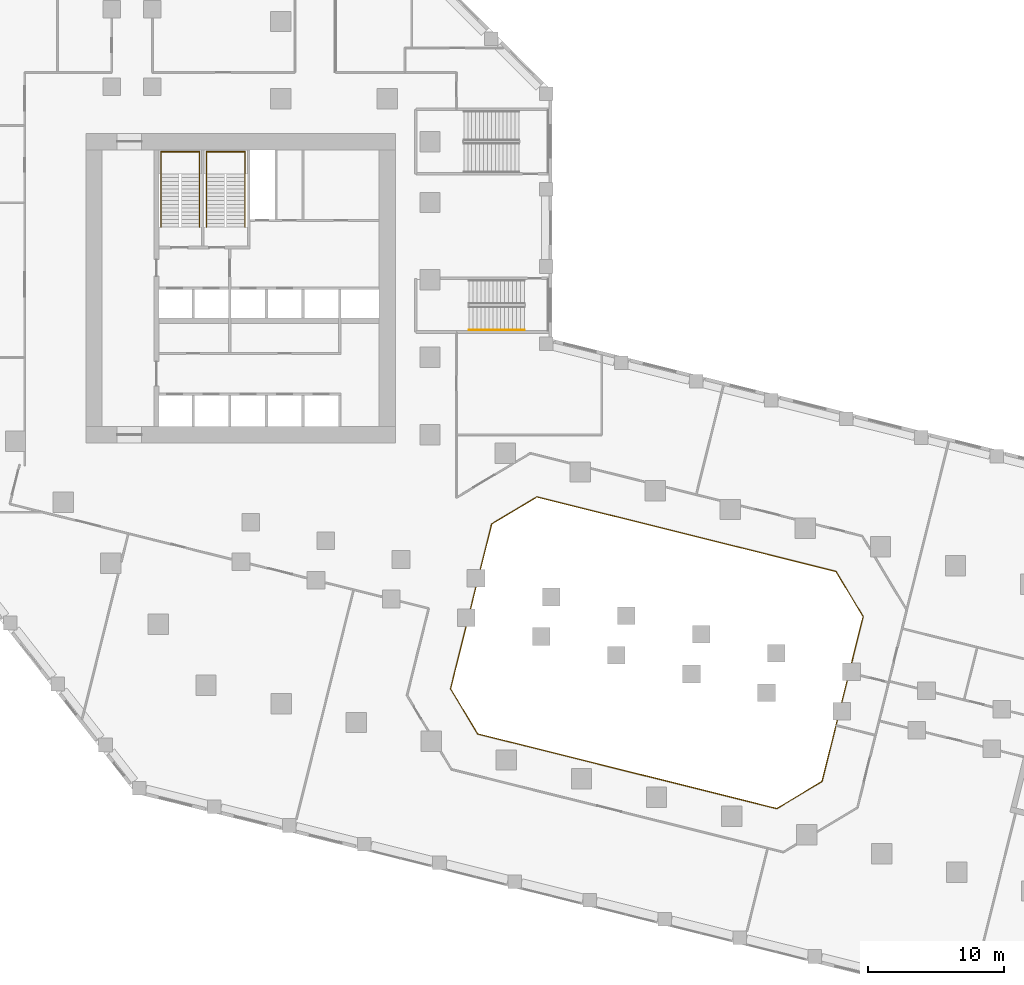
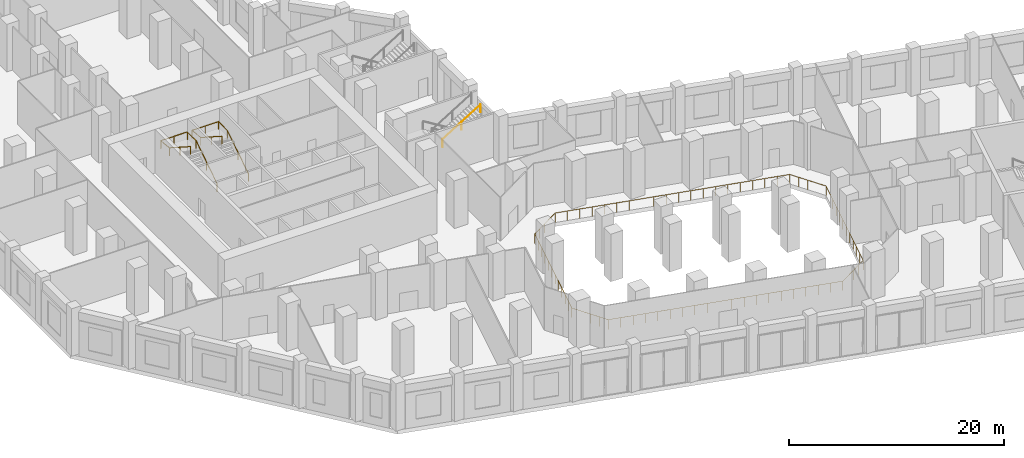
# One storey, part 19 of 23: 4 railings.
"""IFC4 building model written with IfcOpenShell, lengths in metres."""

from ifc_helpers import new_model, si_unit, direction, frame, origin, origin_2d, place, context, subcontext, project, spatial, circle, extrude, material, type_object, element, save


model = new_model("IFC4")

# Units and contexts
model_context = context("Model", 3, precision=1e-05, world=origin(), true_north=direction((0.0, 1.0)))
body_context = subcontext(model_context, "Body", "Model", "MODEL_VIEW")
ifc_project = project(units=[si_unit("LENGTHUNIT", "METRE"), si_unit("AREAUNIT", "SQUARE_METRE"), si_unit("VOLUMEUNIT", "CUBIC_METRE"), si_unit("PLANEANGLEUNIT", "RADIAN"), si_unit("MASSUNIT", "GRAM", prefix="KILO")], contexts=[model_context])

# Site, building, storey
site_placement = place(None, origin())
site = spatial("IfcSite", under=ifc_project, at=site_placement, CompositionType="ELEMENT")
building_placement = place(site_placement, origin())
building = spatial("IfcBuilding", under=site, at=building_placement, Name="Meshkara Civic Tower", CompositionType="ELEMENT")
storey_placement = place(building_placement, frame((0.0, 0.0, 7.199951171875)))
storey = spatial("IfcBuildingStorey", under=building, at=storey_placement, Name="L01", CompositionType="ELEMENT", Elevation=7.199951171875)

# Railings
ifc_material_1 = material(Name="Steel handrail", Category="steel")
railing_type_1 = type_object("IfcRailingType", Name="Podium stair handrail 900", PredefinedType="HANDRAIL", material=ifc_material_1)
railing_1_placement = place(storey_placement, frame((36.239990234375, 22.425048828125, 2.880126953125)))
element("IfcRailing", 1, at=railing_1_placement, inside=storey, type_object=railing_type_1, Name="L01 PS5 stair handrail 2", PredefinedType="HANDRAIL", context=body_context, shape_type="SweptSolid", body=[
    extrude(circle(Radius=0.02392578125, at=origin_2d()), frame((0.0, 0.0, 0.8759765625), z_axis=(0.849641744969, 0.0, 0.527360318194), x_axis=(0.0, 1.0, 0.0)), (0.0, 0.0, 1.0), 4.778564453125),
    extrude(circle(Radius=0.02099609375, at=origin_2d()), origin(), (0.0, 0.0, 1.0), 0.851806640625),
    extrude(circle(Radius=0.02099609375, at=origin_2d()), frame((2.030029296875, 0.0, 1.260009765625)), (0.0, 0.0, 1.0), 0.851806640625),
    extrude(circle(Radius=0.02099609375, at=origin_2d()), frame((4.06005859375, 0.0, 2.52001953125)), (0.0, 0.0, 1.0), 0.851806640625),
])
ifc_material_2 = material(Name="Steel handrail", Category="steel")
railing_type_2 = type_object("IfcRailingType", Name="Stair handrail 900", PredefinedType="HANDRAIL", material=ifc_material_2)
railing_2_placement = place(storey_placement, frame((16.375, 30.0, 0.179931640625)))
element("IfcRailing", 2, at=railing_2_placement, inside=storey, type_object=railing_type_2, Name="L01 ST1 stair handrail 1", PredefinedType="HANDRAIL", context=body_context, shape_type="SweptSolid", body=[
    extrude(circle(Radius=0.02392578125, at=origin_2d()), frame((0.0, 0.0, 0.8759765625), z_axis=(0.0, 0.841171666519, 0.540768182723), x_axis=(-1.0, 0.0, 0.0)), (0.0, 0.0, 1.0), 4.66015625),
    extrude(circle(Radius=0.02392578125, at=origin_2d()), frame((0.0, 3.919921875, 3.39599609375), z_axis=(0.0, 1.0, 0.0), x_axis=(-1.0, 0.0, 0.0)), (0.0, 0.0, 1.0), 1.630126953125),
    extrude(circle(Radius=0.02392578125, at=origin_2d()), frame((0.0, 5.550048828125, 3.39599609375), z_axis=(-1.0, 0.0, 0.0), x_axis=(0.0, -1.0, 0.0)), (0.0, 0.0, 1.0), 2.85009765625),
    extrude(circle(Radius=0.02392578125, at=origin_2d()), frame((-2.85009765625, 5.550048828125, 3.39599609375), z_axis=(0.0, -0.993947108537, 0.109859662438), x_axis=(1.0, 0.0, 0.0)), (0.0, 0.0, 1.0), 1.64013671875),
    extrude(circle(Radius=0.02392578125, at=origin_2d()), frame((-2.85009765625, 3.919921875, 3.576171875), z_axis=(0.0, -0.841171666519, 0.540768182723), x_axis=(1.0, 0.0, 0.0)), (0.0, 0.0, 1.0), 4.66015625),
    extrude(circle(Radius=0.02099609375, at=origin_2d()), origin(), (0.0, 0.0, 1.0), 0.851806640625),
    extrude(circle(Radius=0.02099609375, at=origin_2d()), frame((0.0, 1.9599609375, 1.260009765625)), (0.0, 0.0, 1.0), 0.851806640625),
    extrude(circle(Radius=0.02099609375, at=origin_2d()), frame((0.0, 3.919921875, 2.52001953125)), (0.0, 0.0, 1.0), 0.851806640625),
    extrude(circle(Radius=0.02099609375, at=origin_2d()), frame((0.0, 5.550048828125, 2.52001953125)), (0.0, 0.0, 1.0), 0.851806640625),
    extrude(circle(Radius=0.02099609375, at=origin_2d()), frame((-1.425048828125, 5.550048828125, 2.52001953125)), (0.0, 0.0, 1.0), 0.851806640625),
    extrude(circle(Radius=0.02099609375, at=origin_2d()), frame((-2.85009765625, 5.550048828125, 2.52001953125)), (0.0, 0.0, 1.0), 0.851806640625),
    extrude(circle(Radius=0.02099609375, at=origin_2d()), frame((-2.85009765625, 3.919921875, 2.7001953125)), (0.0, 0.0, 1.0), 0.851806640625),
    extrude(circle(Radius=0.02099609375, at=origin_2d()), frame((-2.85009765625, 1.9599609375, 3.960205078125)), (0.0, 0.0, 1.0), 0.851806640625),
    extrude(circle(Radius=0.02099609375, at=origin_2d()), frame((-2.85009765625, 0.0, 5.22021484375)), (0.0, 0.0, 1.0), 0.851806640625),
])
railing_3_placement = place(storey_placement, frame((19.72509765625, 30.0, 0.179931640625)))
element("IfcRailing", 3, at=railing_3_placement, inside=storey, type_object=railing_type_2, Name="L01 ST2 stair handrail 1", PredefinedType="HANDRAIL", context=body_context, shape_type="SweptSolid", body=[
    extrude(circle(Radius=0.02392578125, at=origin_2d()), frame((0.0, 0.0, 0.8759765625), z_axis=(0.0, 0.841171666519, 0.540768182723), x_axis=(-1.0, 0.0, 0.0)), (0.0, 0.0, 1.0), 4.66015625),
    extrude(circle(Radius=0.02392578125, at=origin_2d()), frame((0.0, 3.919921875, 3.39599609375), z_axis=(0.0, 1.0, 0.0), x_axis=(-1.0, 0.0, 0.0)), (0.0, 0.0, 1.0), 1.630126953125),
    extrude(circle(Radius=0.02392578125, at=origin_2d()), frame((0.0, 5.550048828125, 3.39599609375), z_axis=(-1.0, 0.0, 0.0), x_axis=(0.0, -1.0, 0.0)), (0.0, 0.0, 1.0), 2.85009765625),
    extrude(circle(Radius=0.02392578125, at=origin_2d()), frame((-2.85009765625, 5.550048828125, 3.39599609375), z_axis=(0.0, -0.993947108537, 0.109859662438), x_axis=(1.0, 0.0, 0.0)), (0.0, 0.0, 1.0), 1.64013671875),
    extrude(circle(Radius=0.02392578125, at=origin_2d()), frame((-2.85009765625, 3.919921875, 3.576171875), z_axis=(0.0, -0.841171666519, 0.540768182723), x_axis=(1.0, 0.0, 0.0)), (0.0, 0.0, 1.0), 4.66015625),
    extrude(circle(Radius=0.02099609375, at=origin_2d()), origin(), (0.0, 0.0, 1.0), 0.851806640625),
    extrude(circle(Radius=0.02099609375, at=origin_2d()), frame((0.0, 1.9599609375, 1.260009765625)), (0.0, 0.0, 1.0), 0.851806640625),
    extrude(circle(Radius=0.02099609375, at=origin_2d()), frame((0.0, 3.919921875, 2.52001953125)), (0.0, 0.0, 1.0), 0.851806640625),
    extrude(circle(Radius=0.02099609375, at=origin_2d()), frame((0.0, 5.550048828125, 2.52001953125)), (0.0, 0.0, 1.0), 0.851806640625),
    extrude(circle(Radius=0.02099609375, at=origin_2d()), frame((-1.425048828125, 5.550048828125, 2.52001953125)), (0.0, 0.0, 1.0), 0.851806640625),
    extrude(circle(Radius=0.02099609375, at=origin_2d()), frame((-2.85009765625, 5.550048828125, 2.52001953125)), (0.0, 0.0, 1.0), 0.851806640625),
    extrude(circle(Radius=0.02099609375, at=origin_2d()), frame((-2.85009765625, 3.919921875, 2.7001953125)), (0.0, 0.0, 1.0), 0.851806640625),
    extrude(circle(Radius=0.02099609375, at=origin_2d()), frame((-2.85009765625, 1.9599609375, 3.960205078125)), (0.0, 0.0, 1.0), 0.851806640625),
    extrude(circle(Radius=0.02099609375, at=origin_2d()), frame((-2.85009765625, 0.0, 5.22021484375)), (0.0, 0.0, 1.0), 0.851806640625),
])
ifc_material_3 = material(Name="Steel S355", Category="steel")
railing_type_3 = type_object("IfcRailingType", Name="VOID GUARD 1100", PredefinedType="GUARDRAIL", material=ifc_material_3)
railing_4_placement = place(storey_placement, frame((58.903076171875, -12.8310546875, 0.0)))
element("IfcRailing", 4, at=railing_4_placement, inside=storey, type_object=railing_type_3, Name="Gallery guard", PredefinedType="GUARDRAIL", context=body_context, shape_type="SweptSolid", body=[
    extrude(circle(Radius=0.02392578125, at=origin_2d()), frame((0.0, 0.0, 1.076171875), z_axis=(0.857254010908, 0.514893737369, 0.0), x_axis=(-0.514893737369, 0.857254010908, 0.0)), (0.0, 0.0, 1.0), 3.878662109375),
    extrude(circle(Radius=0.02392578125, at=origin_2d()), frame((3.324951171875, 1.9970703125, 1.076171875), z_axis=(0.241847083609, 0.970314375937, 0.0), x_axis=(-0.970314375937, 0.241847083609, 0.0)), (0.0, 0.0, 1.0), 12.515625),
    extrude(circle(Radius=0.02392578125, at=origin_2d()), frame((6.351806640625, 14.14111328125, 1.076171875), z_axis=(-0.514847477492, 0.857281794348, 0.0), x_axis=(-0.857281794348, -0.514847477492, 0.0)), (0.0, 0.0, 1.0), 3.87841796875),
    extrude(circle(Radius=0.02392578125, at=origin_2d()), frame((4.35498046875, 17.466064453125, 1.076171875), z_axis=(-0.970309184432, 0.241867911486, 0.0), x_axis=(-0.241867911486, -0.970309184432, 0.0)), (0.0, 0.0, 1.0), 22.71435546875),
    extrude(circle(Radius=0.02392578125, at=origin_2d()), frame((-17.68505859375, 22.9599609375, 1.076171875), z_axis=(-0.857281794348, -0.514847477492, 0.0), x_axis=(0.514847477492, -0.857281794348, 0.0)), (0.0, 0.0, 1.0), 3.87841796875),
    extrude(circle(Radius=0.02392578125, at=origin_2d()), frame((-21.010009765625, 20.963134765625, 1.076171875), z_axis=(-0.241957228299, -0.970286916161, 0.0), x_axis=(0.970286916161, -0.241957228299, 0.0)), (0.0, 0.0, 1.0), 12.514892578125),
    extrude(circle(Radius=0.02392578125, at=origin_2d()), frame((-24.0380859375, 8.820068359375, 1.076171875), z_axis=(0.515078731901, -0.857142870205, 0.0), x_axis=(0.857142870205, 0.515078731901, 0.0)), (0.0, 0.0, 1.0), 3.879150390625),
    extrude(circle(Radius=0.02392578125, at=origin_2d()), frame((-22.0400390625, 5.4951171875, 1.076171875), z_axis=(0.970296570921, -0.24191850789, 0.0), x_axis=(0.24191850789, 0.970296570921, 0.0)), (0.0, 0.0, 1.0), 22.71484375),
    extrude(circle(Radius=0.02099609375, at=origin_2d()), origin(), (0.0, 0.0, 1.0), 1.052001953125),
    extrude(circle(Radius=0.02099609375, at=origin_2d()), frame((0.831298828125, 0.499267578125, 0.0)), (0.0, 0.0, 1.0), 1.052001953125),
    extrude(circle(Radius=0.02099609375, at=origin_2d()), frame((1.66259765625, 0.99853515625, 0.0)), (0.0, 0.0, 1.0), 1.052001953125),
    extrude(circle(Radius=0.02099609375, at=origin_2d()), frame((2.49365234375, 1.497802734375, 0.0)), (0.0, 0.0, 1.0), 1.052001953125),
    extrude(circle(Radius=0.02099609375, at=origin_2d()), frame((3.324951171875, 1.9970703125, 0.0)), (0.0, 0.0, 1.0), 1.052001953125),
    extrude(circle(Radius=0.02099609375, at=origin_2d()), frame((3.60009765625, 3.10107421875, 0.0)), (0.0, 0.0, 1.0), 1.052001953125),
    extrude(circle(Radius=0.02099609375, at=origin_2d()), frame((3.875244140625, 4.205078125, 0.0)), (0.0, 0.0, 1.0), 1.052001953125),
    extrude(circle(Radius=0.02099609375, at=origin_2d()), frame((4.150390625, 5.30908203125, 0.0)), (0.0, 0.0, 1.0), 1.052001953125),
    extrude(circle(Radius=0.02099609375, at=origin_2d()), frame((4.425537109375, 6.4130859375, 0.0)), (0.0, 0.0, 1.0), 1.052001953125),
    extrude(circle(Radius=0.02099609375, at=origin_2d()), frame((4.70068359375, 7.51708984375, 0.0)), (0.0, 0.0, 1.0), 1.052001953125),
    extrude(circle(Radius=0.02099609375, at=origin_2d()), frame((4.97607421875, 8.62109375, 0.0)), (0.0, 0.0, 1.0), 1.052001953125),
    extrude(circle(Radius=0.02099609375, at=origin_2d()), frame((5.251220703125, 9.72509765625, 0.0)), (0.0, 0.0, 1.0), 1.052001953125),
    extrude(circle(Radius=0.02099609375, at=origin_2d()), frame((5.5263671875, 10.8291015625, 0.0)), (0.0, 0.0, 1.0), 1.052001953125),
    extrude(circle(Radius=0.02099609375, at=origin_2d()), frame((5.801513671875, 11.93310546875, 0.0)), (0.0, 0.0, 1.0), 1.052001953125),
    extrude(circle(Radius=0.02099609375, at=origin_2d()), frame((6.07666015625, 13.037109375, 0.0)), (0.0, 0.0, 1.0), 1.052001953125),
    extrude(circle(Radius=0.02099609375, at=origin_2d()), frame((6.351806640625, 14.14111328125, 0.0)), (0.0, 0.0, 1.0), 1.052001953125),
    extrude(circle(Radius=0.02099609375, at=origin_2d()), frame((5.8525390625, 14.972412109375, 0.0)), (0.0, 0.0, 1.0), 1.052001953125),
    extrude(circle(Radius=0.02099609375, at=origin_2d()), frame((5.353515625, 15.8037109375, 0.0)), (0.0, 0.0, 1.0), 1.052001953125),
    extrude(circle(Radius=0.02099609375, at=origin_2d()), frame((4.854248046875, 16.634765625, 0.0)), (0.0, 0.0, 1.0), 1.052001953125),
    extrude(circle(Radius=0.02099609375, at=origin_2d()), frame((4.35498046875, 17.466064453125, 0.0)), (0.0, 0.0, 1.0), 1.052001953125),
    extrude(circle(Radius=0.02099609375, at=origin_2d()), frame((3.195068359375, 17.755126953125, 0.0)), (0.0, 0.0, 1.0), 1.052001953125),
    extrude(circle(Radius=0.02099609375, at=origin_2d()), frame((2.034912109375, 18.04443359375, 0.0)), (0.0, 0.0, 1.0), 1.052001953125),
    extrude(circle(Radius=0.02099609375, at=origin_2d()), frame((0.875, 18.33349609375, 0.0)), (0.0, 0.0, 1.0), 1.052001953125),
    extrude(circle(Radius=0.02099609375, at=origin_2d()), frame((-0.284912109375, 18.62255859375, 0.0)), (0.0, 0.0, 1.0), 1.052001953125),
    extrude(circle(Radius=0.02099609375, at=origin_2d()), frame((-1.445068359375, 18.911865234375, 0.0)), (0.0, 0.0, 1.0), 1.052001953125),
    extrude(circle(Radius=0.02099609375, at=origin_2d()), frame((-2.60498046875, 19.200927734375, 0.0)), (0.0, 0.0, 1.0), 1.052001953125),
    extrude(circle(Radius=0.02099609375, at=origin_2d()), frame((-3.76513671875, 19.490234375, 0.0)), (0.0, 0.0, 1.0), 1.052001953125),
    extrude(circle(Radius=0.02099609375, at=origin_2d()), frame((-4.925048828125, 19.779296875, 0.0)), (0.0, 0.0, 1.0), 1.052001953125),
    extrude(circle(Radius=0.02099609375, at=origin_2d()), frame((-6.0849609375, 20.068359375, 0.0)), (0.0, 0.0, 1.0), 1.052001953125),
    extrude(circle(Radius=0.02099609375, at=origin_2d()), frame((-7.2451171875, 20.357666015625, 0.0)), (0.0, 0.0, 1.0), 1.052001953125),
    extrude(circle(Radius=0.02099609375, at=origin_2d()), frame((-8.405029296875, 20.646728515625, 0.0)), (0.0, 0.0, 1.0), 1.052001953125),
    extrude(circle(Radius=0.02099609375, at=origin_2d()), frame((-9.56494140625, 20.935791015625, 0.0)), (0.0, 0.0, 1.0), 1.052001953125),
    extrude(circle(Radius=0.02099609375, at=origin_2d()), frame((-10.72509765625, 21.22509765625, 0.0)), (0.0, 0.0, 1.0), 1.052001953125),
    extrude(circle(Radius=0.02099609375, at=origin_2d()), frame((-11.885009765625, 21.51416015625, 0.0)), (0.0, 0.0, 1.0), 1.052001953125),
    extrude(circle(Radius=0.02099609375, at=origin_2d()), frame((-13.045166015625, 21.803466796875, 0.0)), (0.0, 0.0, 1.0), 1.052001953125),
    extrude(circle(Radius=0.02099609375, at=origin_2d()), frame((-14.205078125, 22.092529296875, 0.0)), (0.0, 0.0, 1.0), 1.052001953125),
    extrude(circle(Radius=0.02099609375, at=origin_2d()), frame((-15.364990234375, 22.381591796875, 0.0)), (0.0, 0.0, 1.0), 1.052001953125),
    extrude(circle(Radius=0.02099609375, at=origin_2d()), frame((-16.525146484375, 22.6708984375, 0.0)), (0.0, 0.0, 1.0), 1.052001953125),
    extrude(circle(Radius=0.02099609375, at=origin_2d()), frame((-17.68505859375, 22.9599609375, 0.0)), (0.0, 0.0, 1.0), 1.052001953125),
    extrude(circle(Radius=0.02099609375, at=origin_2d()), frame((-18.516357421875, 22.460693359375, 0.0)), (0.0, 0.0, 1.0), 1.052001953125),
    extrude(circle(Radius=0.02099609375, at=origin_2d()), frame((-19.34765625, 21.96142578125, 0.0)), (0.0, 0.0, 1.0), 1.052001953125),
    extrude(circle(Radius=0.02099609375, at=origin_2d()), frame((-20.1787109375, 21.46240234375, 0.0)), (0.0, 0.0, 1.0), 1.052001953125),
    extrude(circle(Radius=0.02099609375, at=origin_2d()), frame((-21.010009765625, 20.963134765625, 0.0)), (0.0, 0.0, 1.0), 1.052001953125),
    extrude(circle(Radius=0.02099609375, at=origin_2d()), frame((-21.285400390625, 19.859130859375, 0.0)), (0.0, 0.0, 1.0), 1.052001953125),
    extrude(circle(Radius=0.02099609375, at=origin_2d()), frame((-21.560546875, 18.75537109375, 0.0)), (0.0, 0.0, 1.0), 1.052001953125),
    extrude(circle(Radius=0.02099609375, at=origin_2d()), frame((-21.8359375, 17.6513671875, 0.0)), (0.0, 0.0, 1.0), 1.052001953125),
    extrude(circle(Radius=0.02099609375, at=origin_2d()), frame((-22.111083984375, 16.54736328125, 0.0)), (0.0, 0.0, 1.0), 1.052001953125),
    extrude(circle(Radius=0.02099609375, at=origin_2d()), frame((-22.386474609375, 15.443603515625, 0.0)), (0.0, 0.0, 1.0), 1.052001953125),
    extrude(circle(Radius=0.02099609375, at=origin_2d()), frame((-22.66162109375, 14.339599609375, 0.0)), (0.0, 0.0, 1.0), 1.052001953125),
    extrude(circle(Radius=0.02099609375, at=origin_2d()), frame((-22.93701171875, 13.23583984375, 0.0)), (0.0, 0.0, 1.0), 1.052001953125),
    extrude(circle(Radius=0.02099609375, at=origin_2d()), frame((-23.212158203125, 12.1318359375, 0.0)), (0.0, 0.0, 1.0), 1.052001953125),
    extrude(circle(Radius=0.02099609375, at=origin_2d()), frame((-23.487548828125, 11.02783203125, 0.0)), (0.0, 0.0, 1.0), 1.052001953125),
    extrude(circle(Radius=0.02099609375, at=origin_2d()), frame((-23.7626953125, 9.924072265625, 0.0)), (0.0, 0.0, 1.0), 1.052001953125),
    extrude(circle(Radius=0.02099609375, at=origin_2d()), frame((-24.0380859375, 8.820068359375, 0.0)), (0.0, 0.0, 1.0), 1.052001953125),
    extrude(circle(Radius=0.02099609375, at=origin_2d()), frame((-23.53857421875, 7.98876953125, 0.0)), (0.0, 0.0, 1.0), 1.052001953125),
    extrude(circle(Radius=0.02099609375, at=origin_2d()), frame((-23.0390625, 7.15771484375, 0.0)), (0.0, 0.0, 1.0), 1.052001953125),
    extrude(circle(Radius=0.02099609375, at=origin_2d()), frame((-22.53955078125, 6.326416015625, 0.0)), (0.0, 0.0, 1.0), 1.052001953125),
    extrude(circle(Radius=0.02099609375, at=origin_2d()), frame((-22.0400390625, 5.4951171875, 0.0)), (0.0, 0.0, 1.0), 1.052001953125),
    extrude(circle(Radius=0.02099609375, at=origin_2d()), frame((-20.880126953125, 5.205810546875, 0.0)), (0.0, 0.0, 1.0), 1.052001953125),
    extrude(circle(Radius=0.02099609375, at=origin_2d()), frame((-19.719970703125, 4.916748046875, 0.0)), (0.0, 0.0, 1.0), 1.052001953125),
    extrude(circle(Radius=0.02099609375, at=origin_2d()), frame((-18.56005859375, 4.62744140625, 0.0)), (0.0, 0.0, 1.0), 1.052001953125),
    extrude(circle(Radius=0.02099609375, at=origin_2d()), frame((-17.400146484375, 4.338134765625, 0.0)), (0.0, 0.0, 1.0), 1.052001953125),
    extrude(circle(Radius=0.02099609375, at=origin_2d()), frame((-16.239990234375, 4.049072265625, 0.0)), (0.0, 0.0, 1.0), 1.052001953125),
    extrude(circle(Radius=0.02099609375, at=origin_2d()), frame((-15.080078125, 3.759765625, 0.0)), (0.0, 0.0, 1.0), 1.052001953125),
    extrude(circle(Radius=0.02099609375, at=origin_2d()), frame((-13.919921875, 3.470703125, 0.0)), (0.0, 0.0, 1.0), 1.052001953125),
    extrude(circle(Radius=0.02099609375, at=origin_2d()), frame((-12.760009765625, 3.181396484375, 0.0)), (0.0, 0.0, 1.0), 1.052001953125),
    extrude(circle(Radius=0.02099609375, at=origin_2d()), frame((-11.60009765625, 2.89208984375, 0.0)), (0.0, 0.0, 1.0), 1.052001953125),
    extrude(circle(Radius=0.02099609375, at=origin_2d()), frame((-10.43994140625, 2.60302734375, 0.0)), (0.0, 0.0, 1.0), 1.052001953125),
    extrude(circle(Radius=0.02099609375, at=origin_2d()), frame((-9.280029296875, 2.313720703125, 0.0)), (0.0, 0.0, 1.0), 1.052001953125),
    extrude(circle(Radius=0.02099609375, at=origin_2d()), frame((-8.1201171875, 2.0244140625, 0.0)), (0.0, 0.0, 1.0), 1.052001953125),
    extrude(circle(Radius=0.02099609375, at=origin_2d()), frame((-6.9599609375, 1.7353515625, 0.0)), (0.0, 0.0, 1.0), 1.052001953125),
    extrude(circle(Radius=0.02099609375, at=origin_2d()), frame((-5.800048828125, 1.446044921875, 0.0)), (0.0, 0.0, 1.0), 1.052001953125),
    extrude(circle(Radius=0.02099609375, at=origin_2d()), frame((-4.639892578125, 1.156982421875, 0.0)), (0.0, 0.0, 1.0), 1.052001953125),
    extrude(circle(Radius=0.02099609375, at=origin_2d()), frame((-3.47998046875, 0.86767578125, 0.0)), (0.0, 0.0, 1.0), 1.052001953125),
    extrude(circle(Radius=0.02099609375, at=origin_2d()), frame((-2.320068359375, 0.578369140625, 0.0)), (0.0, 0.0, 1.0), 1.052001953125),
    extrude(circle(Radius=0.02099609375, at=origin_2d()), frame((-1.159912109375, 0.289306640625, 0.0)), (0.0, 0.0, 1.0), 1.052001953125),
])

save(model, "model.ifc")
